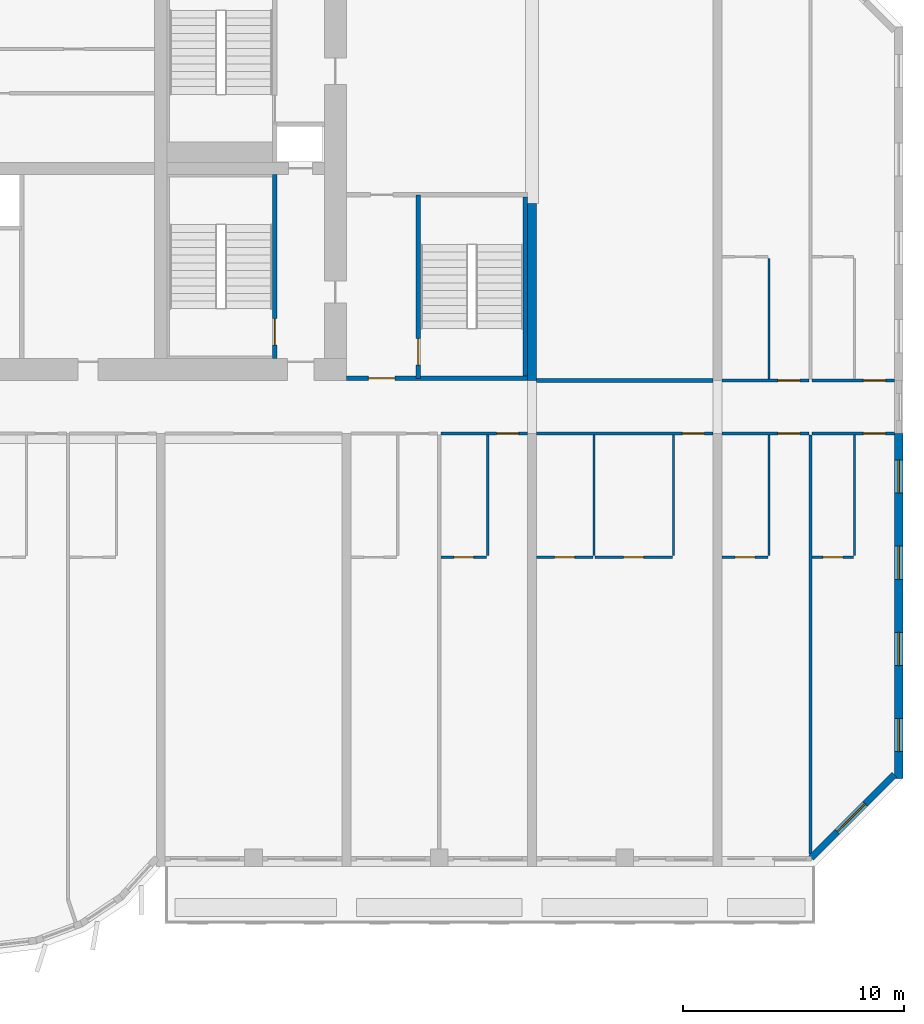
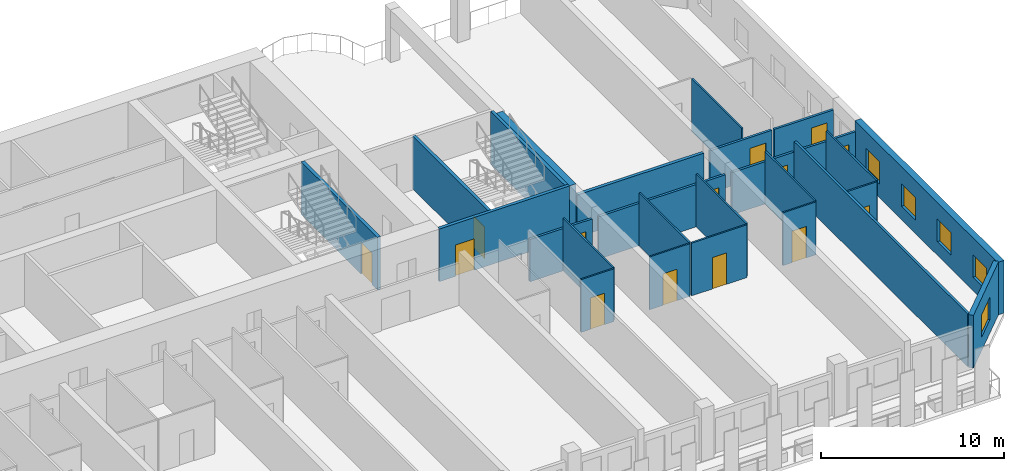
# One storey, part 9 of 14: 26 walls, 14 doors, 5 windows, 19 openings.
"""IFC4 building model written with IfcOpenShell, lengths in metres."""

from ifc_helpers import new_model, si_unit, direction, frame, frame_2d, origin, place, context, subcontext, project, spatial, rectangle, extrude, source, transform, mapped, material, layer, layer_set, type_object, element, fill, save


model = new_model("IFC4")

# Units and contexts
model_context = context("Model", 3, precision=1e-05, world=origin(), true_north=direction((0.0, 1.0)))
body_context = subcontext(model_context, "Body", "Model", "MODEL_VIEW")
ifc_project = project(units=[si_unit("LENGTHUNIT", "METRE"), si_unit("AREAUNIT", "SQUARE_METRE"), si_unit("VOLUMEUNIT", "CUBIC_METRE"), si_unit("PLANEANGLEUNIT", "RADIAN"), si_unit("MASSUNIT", "GRAM", prefix="KILO")], contexts=[model_context])

# Site, building, storey
site_placement = place(None, origin())
site = spatial("IfcSite", under=ifc_project, at=site_placement, CompositionType="ELEMENT")
building_placement = place(site_placement, origin())
building = spatial("IfcBuilding", under=site, at=building_placement, Name="Vanashikhar Sky Hotel", CompositionType="ELEMENT")
storey_placement = place(building_placement, frame((0.0, 0.0, 73.39990234375)))
storey = spatial("IfcBuildingStorey", under=building, at=storey_placement, Name="L17", CompositionType="ELEMENT", Elevation=73.39990234375)

# Wall, openings, windows
ifc_material_1 = material(Name="Concrete M80", Category="concrete")
ifc_layer_1 = layer(ifc_material_1, 0.39990234375)
ifc_layer_set_1 = layer_set([ifc_layer_1], Name="RC shear wall 400 Concrete M80")
wall_type_1 = type_object("IfcWallType", Name="RC shear wall 400 Concrete M80", PredefinedType="SHEAR", material=ifc_layer_set_1)
shared_shape_1 = source(origin(), body_context, "Body", "SweptSolid", [
    extrude(rectangle(XDim=15.60009765625, YDim=0.39990234375, at=frame_2d((7.800048828125, 0.0))), origin(), (0.0, 0.0, 1.0), 3.52001953125),
])
wall_1_placement = place(storey_placement, frame((100.60009765625, 4.0, 0.0), z_axis=(0.0, 0.0, 1.0), x_axis=(0.0, 1.0, 0.0)))
wall_1 = element("IfcWall", 1, at=wall_1_placement, inside=storey, type_object=wall_type_1, Name="CW-L17-XW13-1", PredefinedType="SHEAR", context=body_context, shape_type="MappedRepresentation", body=[
    mapped(shared_shape_1, transform((0.0, 0.0, 0.0), scale=1.0)),
])
shared_shape_2 = source(origin(), body_context, "Body", "SweptSolid", [
    extrude(rectangle(XDim=1.5, YDim=1.5, at=frame_2d((0.75, 0.75))), frame((0.0, 0.2099609375, 0.0), z_axis=(0.0, -1.0, 0.0), x_axis=(1.0, 0.0, 0.0)), (0.0, 0.0, 1.0), 0.419921875),
])
opening_1_placement = place(wall_1_placement, frame((1.199951171875, 0.0, 0.89990234375)))
opening_1 = element("IfcOpeningElement", 2, at=opening_1_placement, cuts=wall_1, Name="Opening WN-1", PredefinedType="OPENING", context=body_context, shape_type="MappedRepresentation", body=[
    mapped(shared_shape_2, transform((0.0, 0.0, 0.0), scale=1.0)),
])
opening_2_placement = place(wall_1_placement, frame((5.10009765625, 0.0, 0.89990234375)))
opening_2 = element("IfcOpeningElement", 3, at=opening_2_placement, cuts=wall_1, Name="Opening WN-1", PredefinedType="OPENING", context=body_context, shape_type="MappedRepresentation", body=[
    mapped(shared_shape_2, transform((0.0, 0.0, 0.0), scale=1.0)),
])
opening_3_placement = place(wall_1_placement, frame((9.0, 0.0, 0.89990234375)))
opening_3 = element("IfcOpeningElement", 4, at=opening_3_placement, cuts=wall_1, Name="Opening WN-1", PredefinedType="OPENING", context=body_context, shape_type="MappedRepresentation", body=[
    mapped(shared_shape_2, transform((0.0, 0.0, 0.0), scale=1.0)),
])
opening_4_placement = place(wall_1_placement, frame((12.89990234375, 0.0, 0.89990234375)))
opening_4 = element("IfcOpeningElement", 5, at=opening_4_placement, cuts=wall_1, Name="Opening WN-1", PredefinedType="OPENING", context=body_context, shape_type="MappedRepresentation", body=[
    mapped(shared_shape_2, transform((0.0, 0.0, 0.0), scale=1.0)),
])
ifc_material_2 = material(Name="Glass", Category="glass")
window_type_1 = type_object("IfcWindowType", Name="Window 1500 x 1500", PartitioningType="SINGLE_PANEL", PredefinedType="WINDOW", material=ifc_material_2)
shared_shape_3 = source(origin(), body_context, "Body", "SweptSolid", [
    extrude(rectangle(XDim=1.5, YDim=1.5, at=frame_2d((0.75, 0.75))), frame((0.0, 0.030029296875, 0.0), z_axis=(0.0, -1.0, 0.0), x_axis=(1.0, 0.0, 0.0)), (0.0, 0.0, 1.0), 0.06005859375),
])
window_1_placement = place(opening_1_placement, origin())
window_1 = element("IfcWindow", 6, at=window_1_placement, inside=storey, type_object=window_type_1, Name="Window WN-1", OverallHeight=1.5, OverallWidth=1.5, PartitioningType="SINGLE_PANEL", PredefinedType="WINDOW", context=body_context, shape_type="MappedRepresentation", body=[
    mapped(shared_shape_3, transform((0.0, 0.0, 0.0), scale=1.0)),
])
fill(opening_1, window_1)
window_2_placement = place(opening_2_placement, origin())
window_2 = element("IfcWindow", 7, at=window_2_placement, inside=storey, type_object=window_type_1, Name="Window WN-1", OverallHeight=1.5, OverallWidth=1.5, PartitioningType="SINGLE_PANEL", PredefinedType="WINDOW", context=body_context, shape_type="MappedRepresentation", body=[
    mapped(shared_shape_3, transform((0.0, 0.0, 0.0), scale=1.0)),
])
fill(opening_2, window_2)
window_3_placement = place(opening_3_placement, origin())
window_3 = element("IfcWindow", 8, at=window_3_placement, inside=storey, type_object=window_type_1, Name="Window WN-1", OverallHeight=1.5, OverallWidth=1.5, PartitioningType="SINGLE_PANEL", PredefinedType="WINDOW", context=body_context, shape_type="MappedRepresentation", body=[
    mapped(shared_shape_3, transform((0.0, 0.0, 0.0), scale=1.0)),
])
fill(opening_3, window_3)
window_4_placement = place(opening_4_placement, origin())
window_4 = element("IfcWindow", 9, at=window_4_placement, inside=storey, type_object=window_type_1, Name="Window WN-1", OverallHeight=1.5, OverallWidth=1.5, PartitioningType="SINGLE_PANEL", PredefinedType="WINDOW", context=body_context, shape_type="MappedRepresentation", body=[
    mapped(shared_shape_3, transform((0.0, 0.0, 0.0), scale=1.0)),
])
fill(opening_4, window_4)

# Wall
shared_shape_4 = source(origin(), body_context, "Body", "SweptSolid", [
    extrude(rectangle(XDim=8.0, YDim=0.39990234375, at=frame_2d((4.0, 0.0))), origin(), (0.0, 0.0, 1.0), 3.52001953125),
])
wall_2_placement = place(storey_placement, frame((84.0, 22.0, 0.0), z_axis=(0.0, 0.0, 1.0), x_axis=(0.0, 1.0, 0.0)))
element("IfcWall", 10, at=wall_2_placement, inside=storey, type_object=wall_type_1, Name="CW-L17-XW11-2", PredefinedType="SHEAR", context=body_context, shape_type="MappedRepresentation", body=[
    mapped(shared_shape_4, transform((0.0, 0.0, 0.0), scale=1.0)),
])

# Wall, opening, window
ifc_material_3 = material(Name="Concrete M50", Category="concrete")
ifc_layer_2 = layer(ifc_material_3, 0.300048828125)
ifc_layer_set_2 = layer_set([ifc_layer_2], Name="Lobe wall 300")
wall_type_2 = type_object("IfcWallType", Name="Lobe wall 300", PredefinedType="SOLIDWALL", material=ifc_layer_set_2)
shared_shape_5 = source(origin(), body_context, "Body", "SweptSolid", [
    extrude(rectangle(XDim=5.32568359375, YDim=0.300048828125, at=frame_2d((2.662841796875, 0.0))), origin(), (0.0, 0.0, 1.0), 3.52001953125),
])
wall_3_placement = place(storey_placement, frame((96.63427734375, 0.39990234375, 0.0), z_axis=(0.0, 0.0, 1.0), x_axis=(0.707083859269, 0.707129702361, 0.0)))
wall_3 = element("IfcWall", 11, at=wall_3_placement, inside=storey, type_object=wall_type_2, Name="Corner wall", PredefinedType="SOLIDWALL", context=body_context, shape_type="MappedRepresentation", body=[
    mapped(shared_shape_5, transform((0.0, 0.0, 0.0), scale=1.0)),
])
shared_shape_6 = source(origin(), body_context, "Body", "SweptSolid", [
    extrude(rectangle(XDim=1.800048828125, YDim=1.5, at=frame_2d((0.89990234375, 0.75))), frame((0.0, 0.16015625, 0.0), z_axis=(0.0, -1.0, 0.0), x_axis=(1.0, 0.0, 0.0)), (0.0, 0.0, 1.0), 0.320068359375),
])
opening_5_placement = place(wall_3_placement, frame((1.654296875, 0.0, 0.89990234375)))
opening_5 = element("IfcOpeningElement", 12, at=opening_5_placement, cuts=wall_3, Name="Opening WN-4", PredefinedType="OPENING", context=body_context, shape_type="MappedRepresentation", body=[
    mapped(shared_shape_6, transform((0.0, 0.0, 0.0), scale=1.0)),
])
window_type_2 = type_object("IfcWindowType", Name="Corner window 1800 x 1500", PartitioningType="SINGLE_PANEL", PredefinedType="WINDOW", material=ifc_material_2)
shared_shape_7 = source(origin(), body_context, "Body", "SweptSolid", [
    extrude(rectangle(XDim=1.800048828125, YDim=1.5, at=frame_2d((0.89990234375, 0.75))), frame((0.0, 0.030029296875, 0.0), z_axis=(0.0, -1.0, 0.0), x_axis=(1.0, 0.0, 0.0)), (0.0, 0.0, 1.0), 0.06005859375),
])
window_5_placement = place(opening_5_placement, origin())
window_5 = element("IfcWindow", 13, at=window_5_placement, inside=storey, type_object=window_type_2, Name="Window WN-4", OverallHeight=1.5, OverallWidth=1.800048828125, PartitioningType="SINGLE_PANEL", PredefinedType="WINDOW", context=body_context, shape_type="MappedRepresentation", body=[
    mapped(shared_shape_7, transform((0.0, 0.0, 0.0), scale=1.0)),
])
fill(opening_5, window_5)

# Wall, opening, door
ifc_layer_3 = layer(ifc_material_3, 0.199951171875)
ifc_layer_set_3 = layer_set([ifc_layer_3], Name="Stair wall 200")
wall_type_3 = type_object("IfcWallType", Name="Stair wall 200", PredefinedType="SOLIDWALL", material=ifc_layer_set_3)
shared_shape_8 = source(origin(), body_context, "Body", "SweptSolid", [
    extrude(rectangle(XDim=8.199951171875, YDim=0.199951171875, at=frame_2d((4.10009765625, 0.0))), origin(), (0.0, 0.0, 1.0), 3.52001953125),
])
wall_4_placement = place(storey_placement, frame((83.800048828125, 22.10009765625, 0.0), z_axis=(0.0, 0.0, 1.0), x_axis=(-1.0, 0.0, 0.0)))
wall_4 = element("IfcWall", 14, at=wall_4_placement, inside=storey, type_object=wall_type_3, Name="Stair wall 200", PredefinedType="SOLIDWALL", context=body_context, shape_type="MappedRepresentation", body=[
    mapped(shared_shape_8, transform((0.0, 0.0, 0.0), scale=1.0)),
])
shared_shape_9 = source(origin(), body_context, "Body", "SweptSolid", [
    extrude(rectangle(XDim=1.199951171875, YDim=2.10009765625, at=frame_2d((0.60009765625, 1.050048828125))), frame((0.0, 0.10986328125, 0.0), z_axis=(0.0, -1.0, 0.0), x_axis=(1.0, 0.0, 0.0)), (0.0, 0.0, 1.0), 0.219970703125),
])
opening_6_placement = place(wall_4_placement, frame((6.0, 0.0, 0.0)))
opening_6 = element("IfcOpeningElement", 15, at=opening_6_placement, cuts=wall_4, Name="Opening DC-2", PredefinedType="OPENING", context=body_context, shape_type="MappedRepresentation", body=[
    mapped(shared_shape_9, transform((0.0, 0.0, 0.0), scale=1.0)),
])
ifc_material_4 = material(Name="Steel", Category="steel")
door_type_1 = type_object("IfcDoorType", Name="Firefighting lobby door 1200 FD120", OperationType="NOTDEFINED", PredefinedType="DOOR", material=ifc_material_4)
shared_shape_10 = source(origin(), body_context, "Body", "SweptSolid", [
    extrude(rectangle(XDim=1.199951171875, YDim=2.10009765625, at=frame_2d((0.60009765625, 1.050048828125))), frame((0.0, 0.02490234375, 0.0), z_axis=(0.0, -1.0, 0.0), x_axis=(1.0, 0.0, 0.0)), (0.0, 0.0, 1.0), 0.050048828125),
])
door_1_placement = place(opening_6_placement, origin())
door_1 = element("IfcDoor", 16, at=door_1_placement, inside=storey, type_object=door_type_1, Name="Firefighting lobby door 1200 FD120", OperationType="SINGLE_SWING_LEFT", OverallHeight=2.10009765625, OverallWidth=1.199951171875, PredefinedType="DOOR", context=body_context, shape_type="MappedRepresentation", body=[
    mapped(shared_shape_10, transform((0.0, 0.0, 0.0), scale=1.0)),
])
fill(opening_6, door_1)

shared_shape_11 = source(origin(), body_context, "Body", "SweptSolid", [
    extrude(rectangle(XDim=8.2998046875, YDim=0.199951171875, at=frame_2d((4.14990234375, 0.0))), origin(), (0.0, 0.0, 1.0), 3.52001953125),
])
wall_5_placement = place(storey_placement, frame((78.85009765625, 22.10009765625, 0.0), z_axis=(0.0, 0.0, 1.0), x_axis=(0.0, 1.0, 0.0)))
wall_5 = element("IfcWall", 17, at=wall_5_placement, inside=storey, type_object=wall_type_3, Name="Stair wall 200", PredefinedType="SOLIDWALL", context=body_context, shape_type="MappedRepresentation", body=[
    mapped(shared_shape_11, transform((0.0, 0.0, 0.0), scale=1.0)),
])
opening_7_placement = place(wall_5_placement, frame((0.60009765625, 0.0, 0.0)))
opening_7 = element("IfcOpeningElement", 18, at=opening_7_placement, cuts=wall_5, Name="Opening DC-1", PredefinedType="OPENING", context=body_context, shape_type="MappedRepresentation", body=[
    mapped(shared_shape_9, transform((0.0, 0.0, 0.0), scale=1.0)),
])
door_type_2 = type_object("IfcDoorType", Name="Stair door 1200 FD120", OperationType="NOTDEFINED", PredefinedType="DOOR", material=ifc_material_4)
door_2_placement = place(opening_7_placement, origin())
door_2 = element("IfcDoor", 19, at=door_2_placement, inside=storey, type_object=door_type_2, Name="Stair door 1200 FD120", OperationType="SINGLE_SWING_RIGHT", OverallHeight=2.10009765625, OverallWidth=1.199951171875, PredefinedType="DOOR", context=body_context, shape_type="MappedRepresentation", body=[
    mapped(shared_shape_10, transform((0.0, 0.0, 0.0), scale=1.0)),
])
fill(opening_7, door_2)

shared_shape_12 = source(origin(), body_context, "Body", "SweptSolid", [
    extrude(rectangle(XDim=8.324951171875, YDim=0.199951171875, at=frame_2d((4.16259765625, 0.0))), origin(), (0.0, 0.0, 1.0), 3.52001953125),
])
wall_6_placement = place(storey_placement, frame((72.35009765625, 23.0, 0.0), z_axis=(0.0, 0.0, 1.0), x_axis=(0.0, 1.0, 0.0)))
wall_6 = element("IfcWall", 20, at=wall_6_placement, inside=storey, type_object=wall_type_3, Name="Stair wall 200", PredefinedType="SOLIDWALL", context=body_context, shape_type="MappedRepresentation", body=[
    mapped(shared_shape_12, transform((0.0, 0.0, 0.0), scale=1.0)),
])
opening_8_placement = place(wall_6_placement, frame((0.60009765625, 0.0, 0.0)))
opening_8 = element("IfcOpeningElement", 21, at=opening_8_placement, cuts=wall_6, Name="Opening DC-1", PredefinedType="OPENING", context=body_context, shape_type="MappedRepresentation", body=[
    mapped(shared_shape_9, transform((0.0, 0.0, 0.0), scale=1.0)),
])
door_3_placement = place(opening_8_placement, origin())
door_3 = element("IfcDoor", 22, at=door_3_placement, inside=storey, type_object=door_type_2, Name="Stair door 1200 FD120", OperationType="SINGLE_SWING_RIGHT", OverallHeight=2.10009765625, OverallWidth=1.199951171875, PredefinedType="DOOR", context=body_context, shape_type="MappedRepresentation", body=[
    mapped(shared_shape_10, transform((0.0, 0.0, 0.0), scale=1.0)),
])
fill(opening_8, door_3)

# Walls
ifc_layer_4 = layer(ifc_material_3, 0.199951171875)
ifc_layer_set_4 = layer_set([ifc_layer_4], Name="Stair infill wall 200")
wall_type_4 = type_object("IfcWallType", Name="Stair infill wall 200", PredefinedType="SOLIDWALL", material=ifc_layer_set_4)
shared_shape_13 = source(origin(), body_context, "Body", "SweptSolid", [
    extrude(rectangle(XDim=8.10009765625, YDim=0.199951171875, at=frame_2d((4.050048828125, 0.0))), origin(), (0.0, 0.0, 1.0), 3.52001953125),
])
wall_7_placement = place(storey_placement, frame((83.699951171875, 22.199951171875, 0.0), z_axis=(0.0, 0.0, 1.0), x_axis=(0.0, 1.0, 0.0)))
element("IfcWall", 23, at=wall_7_placement, inside=storey, type_object=wall_type_4, Name="Stair infill wall 200", PredefinedType="SOLIDWALL", context=body_context, shape_type="MappedRepresentation", body=[
    mapped(shared_shape_13, transform((0.0, 0.0, 0.0), scale=1.0)),
])
ifc_material_5 = material(Name="Gypsum plasterboard partition")
ifc_layer_5 = layer(ifc_material_5, 0.14990234375)
ifc_layer_set_5 = layer_set([ifc_layer_5], Name="Corridor and demising partition 150")
wall_type_5 = type_object("IfcWallType", Name="Corridor and demising partition 150", PredefinedType="PARTITIONING", material=ifc_layer_set_5)
shared_shape_14 = source(origin(), body_context, "Body", "SweptSolid", [
    extrude(rectangle(XDim=18.947021484375, YDim=0.14990234375, at=frame_2d((9.4736328125, 0.0))), origin(), (0.0, 0.0, 1.0), 3.52001953125),
])
wall_8_placement = place(storey_placement, frame((96.60009765625, 0.577880859375, 0.0), z_axis=(0.0, 0.0, 1.0), x_axis=(0.0, 1.0, 0.0)))
element("IfcWall", 24, at=wall_8_placement, inside=storey, type_object=wall_type_5, Name="W-L17-PW068", PredefinedType="PARTITIONING", context=body_context, shape_type="MappedRepresentation", body=[
    mapped(shared_shape_14, transform((0.0, 0.0, 0.0), scale=1.0)),
])

# Wall, opening, door
ifc_layer_6 = layer(ifc_material_5, 0.10009765625)
ifc_layer_set_6 = layer_set([ifc_layer_6], Name="Wet room partition 100")
wall_type_6 = type_object("IfcWallType", Name="Wet room partition 100", PredefinedType="PARTITIONING", material=ifc_layer_set_6)
shared_shape_15 = source(origin(), body_context, "Body", "SweptSolid", [
    extrude(rectangle(XDim=3.5, YDim=0.10009765625, at=frame_2d((1.75, 0.0))), origin(), (0.0, 0.0, 1.0), 3.52001953125),
])
wall_9_placement = place(storey_placement, frame((86.85009765625, 14.0, 0.0), z_axis=(0.0, 0.0, 1.0), x_axis=(1.0, 0.0, 0.0)))
wall_9 = element("IfcWall", 25, at=wall_9_placement, inside=storey, type_object=wall_type_6, Name="W-L17-PW059", PredefinedType="PARTITIONING", context=body_context, shape_type="MappedRepresentation", body=[
    mapped(shared_shape_15, transform((0.0, 0.0, 0.0), scale=1.0)),
])
shared_shape_16 = source(origin(), body_context, "Body", "SweptSolid", [
    extrude(rectangle(XDim=0.89990234375, YDim=2.10009765625, at=frame_2d((0.449951171875, 1.050048828125))), frame((0.0, 0.06005859375, 0.0), z_axis=(0.0, -1.0, 0.0), x_axis=(1.0, 0.0, 0.0)), (0.0, 0.0, 1.0), 0.1201171875),
])
opening_9_placement = place(wall_9_placement, frame((1.300048828125, 0.0, 0.0)))
opening_9 = element("IfcOpeningElement", 26, at=opening_9_placement, cuts=wall_9, Name="Opening D-02", PredefinedType="OPENING", context=body_context, shape_type="MappedRepresentation", body=[
    mapped(shared_shape_16, transform((0.0, 0.0, 0.0), scale=1.0)),
])
ifc_material_6 = material(Name="Timber door", Category="wood")
door_type_3 = type_object("IfcDoorType", Name="Internal door 900", OperationType="NOTDEFINED", PredefinedType="DOOR", material=ifc_material_6)
shared_shape_17 = source(origin(), body_context, "Body", "SweptSolid", [
    extrude(rectangle(XDim=0.89990234375, YDim=2.10009765625, at=frame_2d((0.449951171875, 1.050048828125))), frame((0.0, 0.02490234375, 0.0), z_axis=(0.0, -1.0, 0.0), x_axis=(1.0, 0.0, 0.0)), (0.0, 0.0, 1.0), 0.050048828125),
])
door_4_placement = place(opening_9_placement, origin())
door_4 = element("IfcDoor", 27, at=door_4_placement, inside=storey, type_object=door_type_3, Name="D-L17-034", OperationType="SINGLE_SWING_RIGHT", OverallHeight=2.10009765625, OverallWidth=0.89990234375, PredefinedType="DOOR", context=body_context, shape_type="MappedRepresentation", body=[
    mapped(shared_shape_17, transform((0.0, 0.0, 0.0), scale=1.0)),
])
fill(opening_9, door_4)

shared_shape_18 = source(origin(), body_context, "Body", "SweptSolid", [
    extrude(rectangle(XDim=2.074951171875, YDim=0.10009765625, at=frame_2d((1.03759765625, 0.0))), origin(), (0.0, 0.0, 1.0), 3.52001953125),
])
wall_10_placement = place(storey_placement, frame((79.875, 14.0, 0.0), z_axis=(0.0, 0.0, 1.0), x_axis=(1.0, 0.0, 0.0)))
wall_10 = element("IfcWall", 28, at=wall_10_placement, inside=storey, type_object=wall_type_6, Name="W-L17-PW054", PredefinedType="PARTITIONING", context=body_context, shape_type="MappedRepresentation", body=[
    mapped(shared_shape_18, transform((0.0, 0.0, 0.0), scale=1.0)),
])
opening_10_placement = place(wall_10_placement, frame((0.5869140625, 0.0, 0.0)))
opening_10 = element("IfcOpeningElement", 29, at=opening_10_placement, cuts=wall_10, Name="Opening D-02", PredefinedType="OPENING", context=body_context, shape_type="MappedRepresentation", body=[
    mapped(shared_shape_16, transform((0.0, 0.0, 0.0), scale=1.0)),
])
door_5_placement = place(opening_10_placement, origin())
door_5 = element("IfcDoor", 30, at=door_5_placement, inside=storey, type_object=door_type_3, Name="D-L17-032", OperationType="SINGLE_SWING_RIGHT", OverallHeight=2.10009765625, OverallWidth=0.89990234375, PredefinedType="DOOR", context=body_context, shape_type="MappedRepresentation", body=[
    mapped(shared_shape_17, transform((0.0, 0.0, 0.0), scale=1.0)),
])
fill(opening_10, door_5)

wall_11_placement = place(storey_placement, frame((92.60009765625, 14.0, 0.0), z_axis=(0.0, 0.0, 1.0), x_axis=(1.0, 0.0, 0.0)))
wall_11 = element("IfcWall", 31, at=wall_11_placement, inside=storey, type_object=wall_type_6, Name="W-L17-PW063", PredefinedType="PARTITIONING", context=body_context, shape_type="MappedRepresentation", body=[
    mapped(shared_shape_18, transform((0.0, 0.0, 0.0), scale=1.0)),
])
opening_11_placement = place(wall_11_placement, frame((0.5869140625, 0.0, 0.0)))
opening_11 = element("IfcOpeningElement", 32, at=opening_11_placement, cuts=wall_11, Name="Opening D-02", PredefinedType="OPENING", context=body_context, shape_type="MappedRepresentation", body=[
    mapped(shared_shape_16, transform((0.0, 0.0, 0.0), scale=1.0)),
])
door_6_placement = place(opening_11_placement, origin())
door_6 = element("IfcDoor", 33, at=door_6_placement, inside=storey, type_object=door_type_3, Name="D-L17-037", OperationType="SINGLE_SWING_RIGHT", OverallHeight=2.10009765625, OverallWidth=0.89990234375, PredefinedType="DOOR", context=body_context, shape_type="MappedRepresentation", body=[
    mapped(shared_shape_17, transform((0.0, 0.0, 0.0), scale=1.0)),
])
fill(opening_11, door_6)

shared_shape_19 = source(origin(), body_context, "Body", "SweptSolid", [
    extrude(rectangle(XDim=3.9248046875, YDim=0.14990234375, at=frame_2d((1.96240234375, 0.0))), origin(), (0.0, 0.0, 1.0), 2.820068359375),
])
wall_12_placement = place(storey_placement, frame((92.60009765625, 19.60009765625, 0.0), z_axis=(0.0, 0.0, 1.0), x_axis=(1.0, 0.0, 0.0)))
wall_12 = element("IfcWall", 34, at=wall_12_placement, inside=storey, type_object=wall_type_5, Name="W-L17-PW064", PredefinedType="PARTITIONING", context=body_context, shape_type="MappedRepresentation", body=[
    mapped(shared_shape_19, transform((0.0, 0.0, 0.0), scale=1.0)),
])
shared_shape_20 = source(origin(), body_context, "Body", "SweptSolid", [
    extrude(rectangle(XDim=1.0, YDim=2.10009765625, at=frame_2d((0.5, 1.050048828125))), frame((0.0, 0.0849609375, 0.0), z_axis=(0.0, -1.0, 0.0), x_axis=(1.0, 0.0, 0.0)), (0.0, 0.0, 1.0), 0.169921875),
])
opening_12_placement = place(wall_12_placement, frame((2.52490234375, 0.0, 0.0)))
opening_12 = element("IfcOpeningElement", 35, at=opening_12_placement, cuts=wall_12, Name="Opening D-01", PredefinedType="OPENING", context=body_context, shape_type="MappedRepresentation", body=[
    mapped(shared_shape_20, transform((0.0, 0.0, 0.0), scale=1.0)),
])
ifc_material_7 = material(Name="Timber fire door", Category="wood")
door_type_4 = type_object("IfcDoorType", Name="Guest entry door 1000 FD30S", OperationType="NOTDEFINED", PredefinedType="DOOR", material=ifc_material_7)
shared_shape_21 = source(origin(), body_context, "Body", "SweptSolid", [
    extrude(rectangle(XDim=1.0, YDim=2.10009765625, at=frame_2d((0.5, 1.050048828125))), frame((0.0, 0.02490234375, 0.0), z_axis=(0.0, -1.0, 0.0), x_axis=(1.0, 0.0, 0.0)), (0.0, 0.0, 1.0), 0.050048828125),
])
door_7_placement = place(opening_12_placement, origin())
door_7 = element("IfcDoor", 36, at=door_7_placement, inside=storey, type_object=door_type_4, Name="D-L17-038", OperationType="SINGLE_SWING_RIGHT", OverallHeight=2.10009765625, OverallWidth=1.0, PredefinedType="DOOR", context=body_context, shape_type="MappedRepresentation", body=[
    mapped(shared_shape_21, transform((0.0, 0.0, 0.0), scale=1.0)),
])
fill(opening_12, door_7)

wall_13_placement = place(storey_placement, frame((92.60009765625, 22.0, 0.0), z_axis=(0.0, 0.0, 1.0), x_axis=(1.0, 0.0, 0.0)))
wall_13 = element("IfcWall", 37, at=wall_13_placement, inside=storey, type_object=wall_type_5, Name="W-L17-PW087", PredefinedType="PARTITIONING", context=body_context, shape_type="MappedRepresentation", body=[
    mapped(shared_shape_19, transform((0.0, 0.0, 0.0), scale=1.0)),
])
opening_13_placement = place(wall_13_placement, frame((2.52490234375, 0.0, 0.0)))
opening_13 = element("IfcOpeningElement", 38, at=opening_13_placement, cuts=wall_13, Name="Opening D-01", PredefinedType="OPENING", context=body_context, shape_type="MappedRepresentation", body=[
    mapped(shared_shape_20, transform((0.0, 0.0, 0.0), scale=1.0)),
])
door_8_placement = place(opening_13_placement, origin())
door_8 = element("IfcDoor", 39, at=door_8_placement, inside=storey, type_object=door_type_4, Name="D-L17-050", OperationType="SINGLE_SWING_RIGHT", OverallHeight=2.10009765625, OverallWidth=1.0, PredefinedType="DOOR", context=body_context, shape_type="MappedRepresentation", body=[
    mapped(shared_shape_21, transform((0.0, 0.0, 0.0), scale=1.0)),
])
fill(opening_13, door_8)

shared_shape_22 = source(origin(), body_context, "Body", "SweptSolid", [
    extrude(rectangle(XDim=3.925048828125, YDim=0.14990234375, at=frame_2d((1.96240234375, 0.0))), origin(), (0.0, 0.0, 1.0), 2.820068359375),
])
wall_14_placement = place(storey_placement, frame((79.875, 19.60009765625, 0.0), z_axis=(0.0, 0.0, 1.0), x_axis=(1.0, 0.0, 0.0)))
wall_14 = element("IfcWall", 40, at=wall_14_placement, inside=storey, type_object=wall_type_5, Name="W-L17-PW055", PredefinedType="PARTITIONING", context=body_context, shape_type="MappedRepresentation", body=[
    mapped(shared_shape_22, transform((0.0, 0.0, 0.0), scale=1.0)),
])
opening_14_placement = place(wall_14_placement, frame((2.52490234375, 0.0, 0.0)))
opening_14 = element("IfcOpeningElement", 41, at=opening_14_placement, cuts=wall_14, Name="Opening D-01", PredefinedType="OPENING", context=body_context, shape_type="MappedRepresentation", body=[
    mapped(shared_shape_20, transform((0.0, 0.0, 0.0), scale=1.0)),
])
door_9_placement = place(opening_14_placement, origin())
door_9 = element("IfcDoor", 42, at=door_9_placement, inside=storey, type_object=door_type_4, Name="D-L17-033", OperationType="SINGLE_SWING_RIGHT", OverallHeight=2.10009765625, OverallWidth=1.0, PredefinedType="DOOR", context=body_context, shape_type="MappedRepresentation", body=[
    mapped(shared_shape_21, transform((0.0, 0.0, 0.0), scale=1.0)),
])
fill(opening_14, door_9)

shared_shape_23 = source(origin(), body_context, "Body", "SweptSolid", [
    extrude(rectangle(XDim=2.550048828125, YDim=0.10009765625, at=frame_2d((1.27490234375, 0.0))), origin(), (0.0, 0.0, 1.0), 3.52001953125),
])
wall_15_placement = place(storey_placement, frame((84.199951171875, 14.0, 0.0), z_axis=(0.0, 0.0, 1.0), x_axis=(1.0, 0.0, 0.0)))
wall_15 = element("IfcWall", 43, at=wall_15_placement, inside=storey, type_object=wall_type_6, Name="W-L17-PW060", PredefinedType="PARTITIONING", context=body_context, shape_type="MappedRepresentation", body=[
    mapped(shared_shape_23, transform((0.0, 0.0, 0.0), scale=1.0)),
])
opening_15_placement = place(wall_15_placement, frame((0.824951171875, 0.0, 0.0)))
opening_15 = element("IfcOpeningElement", 44, at=opening_15_placement, cuts=wall_15, Name="Opening D-02", PredefinedType="OPENING", context=body_context, shape_type="MappedRepresentation", body=[
    mapped(shared_shape_16, transform((0.0, 0.0, 0.0), scale=1.0)),
])
door_10_placement = place(opening_15_placement, origin())
door_10 = element("IfcDoor", 45, at=door_10_placement, inside=storey, type_object=door_type_3, Name="D-L17-035", OperationType="SINGLE_SWING_RIGHT", OverallHeight=2.10009765625, OverallWidth=0.89990234375, PredefinedType="DOOR", context=body_context, shape_type="MappedRepresentation", body=[
    mapped(shared_shape_17, transform((0.0, 0.0, 0.0), scale=1.0)),
])
fill(opening_15, door_10)

shared_shape_24 = source(origin(), body_context, "Body", "SweptSolid", [
    extrude(rectangle(XDim=8.0, YDim=0.14990234375, at=frame_2d((4.0, 0.0))), origin(), (0.0, 0.0, 1.0), 2.820068359375),
])
wall_16_placement = place(storey_placement, frame((84.199951171875, 19.60009765625, 0.0), z_axis=(0.0, 0.0, 1.0), x_axis=(1.0, 0.0, 0.0)))
wall_16 = element("IfcWall", 46, at=wall_16_placement, inside=storey, type_object=wall_type_5, Name="W-L17-PW061", PredefinedType="PARTITIONING", context=body_context, shape_type="MappedRepresentation", body=[
    mapped(shared_shape_24, transform((0.0, 0.0, 0.0), scale=1.0)),
])
opening_16_placement = place(wall_16_placement, frame((6.60009765625, 0.0, 0.0)))
opening_16 = element("IfcOpeningElement", 47, at=opening_16_placement, cuts=wall_16, Name="Opening D-01", PredefinedType="OPENING", context=body_context, shape_type="MappedRepresentation", body=[
    mapped(shared_shape_20, transform((0.0, 0.0, 0.0), scale=1.0)),
])
door_11_placement = place(opening_16_placement, origin())
door_11 = element("IfcDoor", 48, at=door_11_placement, inside=storey, type_object=door_type_4, Name="D-L17-036", OperationType="SINGLE_SWING_RIGHT", OverallHeight=2.10009765625, OverallWidth=1.0, PredefinedType="DOOR", context=body_context, shape_type="MappedRepresentation", body=[
    mapped(shared_shape_21, transform((0.0, 0.0, 0.0), scale=1.0)),
])
fill(opening_16, door_11)

shared_shape_25 = source(origin(), body_context, "Body", "SweptSolid", [
    extrude(rectangle(XDim=1.875, YDim=0.10009765625, at=frame_2d((0.9375, 0.0))), origin(), (0.0, 0.0, 1.0), 3.52001953125),
])
wall_17_placement = place(storey_placement, frame((96.675048828125, 14.0, 0.0), z_axis=(0.0, 0.0, 1.0), x_axis=(1.0, 0.0, 0.0)))
wall_17 = element("IfcWall", 49, at=wall_17_placement, inside=storey, type_object=wall_type_6, Name="W-L17-PW066", PredefinedType="PARTITIONING", context=body_context, shape_type="MappedRepresentation", body=[
    mapped(shared_shape_25, transform((0.0, 0.0, 0.0), scale=1.0)),
])
opening_17_placement = place(wall_17_placement, frame((0.488037109375, 0.0, 0.0)))
opening_17 = element("IfcOpeningElement", 50, at=opening_17_placement, cuts=wall_17, Name="Opening D-02", PredefinedType="OPENING", context=body_context, shape_type="MappedRepresentation", body=[
    mapped(shared_shape_16, transform((0.0, 0.0, 0.0), scale=1.0)),
])
door_12_placement = place(opening_17_placement, origin())
door_12 = element("IfcDoor", 51, at=door_12_placement, inside=storey, type_object=door_type_3, Name="D-L17-039", OperationType="SINGLE_SWING_RIGHT", OverallHeight=2.10009765625, OverallWidth=0.89990234375, PredefinedType="DOOR", context=body_context, shape_type="MappedRepresentation", body=[
    mapped(shared_shape_17, transform((0.0, 0.0, 0.0), scale=1.0)),
])
fill(opening_17, door_12)

shared_shape_26 = source(origin(), body_context, "Body", "SweptSolid", [
    extrude(rectangle(XDim=3.724853515625, YDim=0.14990234375, at=frame_2d((1.8623046875, 0.0))), origin(), (0.0, 0.0, 1.0), 2.820068359375),
])
wall_18_placement = place(storey_placement, frame((96.675048828125, 19.60009765625, 0.0), z_axis=(0.0, 0.0, 1.0), x_axis=(1.0, 0.0, 0.0)))
wall_18 = element("IfcWall", 52, at=wall_18_placement, inside=storey, type_object=wall_type_5, Name="W-L17-PW067", PredefinedType="PARTITIONING", context=body_context, shape_type="MappedRepresentation", body=[
    mapped(shared_shape_26, transform((0.0, 0.0, 0.0), scale=1.0)),
])
opening_18_placement = place(wall_18_placement, frame((2.324951171875, 0.0, 0.0)))
opening_18 = element("IfcOpeningElement", 53, at=opening_18_placement, cuts=wall_18, Name="Opening D-01", PredefinedType="OPENING", context=body_context, shape_type="MappedRepresentation", body=[
    mapped(shared_shape_20, transform((0.0, 0.0, 0.0), scale=1.0)),
])
door_13_placement = place(opening_18_placement, origin())
door_13 = element("IfcDoor", 54, at=door_13_placement, inside=storey, type_object=door_type_4, Name="D-L17-040", OperationType="SINGLE_SWING_RIGHT", OverallHeight=2.10009765625, OverallWidth=1.0, PredefinedType="DOOR", context=body_context, shape_type="MappedRepresentation", body=[
    mapped(shared_shape_21, transform((0.0, 0.0, 0.0), scale=1.0)),
])
fill(opening_18, door_13)

wall_19_placement = place(storey_placement, frame((96.675048828125, 22.0, 0.0), z_axis=(0.0, 0.0, 1.0), x_axis=(1.0, 0.0, 0.0)))
wall_19 = element("IfcWall", 55, at=wall_19_placement, inside=storey, type_object=wall_type_5, Name="W-L17-PW090", PredefinedType="PARTITIONING", context=body_context, shape_type="MappedRepresentation", body=[
    mapped(shared_shape_26, transform((0.0, 0.0, 0.0), scale=1.0)),
])
opening_19_placement = place(wall_19_placement, frame((2.324951171875, 0.0, 0.0)))
opening_19 = element("IfcOpeningElement", 56, at=opening_19_placement, cuts=wall_19, Name="Opening D-01", PredefinedType="OPENING", context=body_context, shape_type="MappedRepresentation", body=[
    mapped(shared_shape_20, transform((0.0, 0.0, 0.0), scale=1.0)),
])
door_14_placement = place(opening_19_placement, origin())
door_14 = element("IfcDoor", 57, at=door_14_placement, inside=storey, type_object=door_type_4, Name="D-L17-052", OperationType="SINGLE_SWING_RIGHT", OverallHeight=2.10009765625, OverallWidth=1.0, PredefinedType="DOOR", context=body_context, shape_type="MappedRepresentation", body=[
    mapped(shared_shape_21, transform((0.0, 0.0, 0.0), scale=1.0)),
])
fill(opening_19, door_14)

# Walls
shared_shape_27 = source(origin(), body_context, "Body", "SweptSolid", [
    extrude(rectangle(XDim=5.449951171875, YDim=0.10009765625, at=frame_2d((2.72509765625, 0.0))), origin(), (0.0, 0.0, 1.0), 3.52001953125),
])
for number, where, z_axis, x_axis, name in (
    (58, (82.0, 14.074951171875, 0.0), (0.0, 0.0, 1.0), (0.0, 1.0, 0.0), "W-L17-PW053"),
    (59, (90.39990234375, 14.074951171875, 0.0), (0.0, 0.0, 1.0), (0.0, 1.0, 0.0), "W-L17-PW057"),
    (60, (86.800048828125, 14.074951171875, 0.0), (0.0, 0.0, 1.0), (0.0, 1.0, 0.0), "W-L17-PW058"),
    (61, (94.72509765625, 14.074951171875, 0.0), (0.0, 0.0, 1.0), (0.0, 1.0, 0.0), "W-L17-PW062"),
    (62, (98.60009765625, 14.074951171875, 0.0), (0.0, 0.0, 1.0), (0.0, 1.0, 0.0), "W-L17-PW065"),
    (63, (94.72509765625, 22.074951171875, 0.0), (0.0, 0.0, 1.0), (0.0, 1.0, 0.0), "W-L17-PW085"),
):
    element("IfcWall", number, at=place(storey_placement, frame(where, z_axis=z_axis, x_axis=x_axis)), inside=storey, type_object=wall_type_6, Name=name, PredefinedType="PARTITIONING", context=body_context, shape_type="MappedRepresentation", body=[
        mapped(shared_shape_27, transform((0.0, 0.0, 0.0), scale=1.0)),
    ])
ifc_material_8 = material(Name="Masonry partition", Category="masonry")
ifc_layer_7 = layer(ifc_material_8, 0.199951171875)
ifc_layer_set_7 = layer_set([ifc_layer_7], Name="Refuge enclosure wall 200")
wall_type_7 = type_object("IfcWallType", Name="Refuge enclosure wall 200", PredefinedType="PARTITIONING", material=ifc_layer_set_7)
shared_shape_28 = source(origin(), body_context, "Body", "SweptSolid", [
    extrude(rectangle(XDim=8.0, YDim=0.199951171875, at=frame_2d((4.0, 0.0))), origin(), (0.0, 0.0, 1.0), 2.820068359375),
])
wall_20_placement = place(storey_placement, frame((84.199951171875, 22.0, 0.0), z_axis=(0.0, 0.0, 1.0), x_axis=(1.0, 0.0, 0.0)))
element("IfcWall", 64, at=wall_20_placement, inside=storey, type_object=wall_type_7, Name="W-L17-PW092", PredefinedType="PARTITIONING", context=body_context, shape_type="MappedRepresentation", body=[
    mapped(shared_shape_28, transform((0.0, 0.0, 0.0), scale=1.0)),
])

save(model, "model.ifc")
